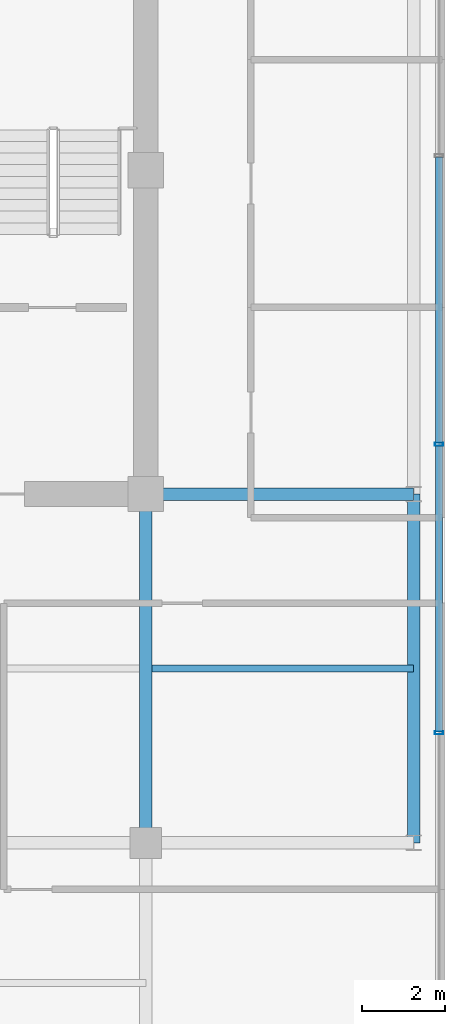
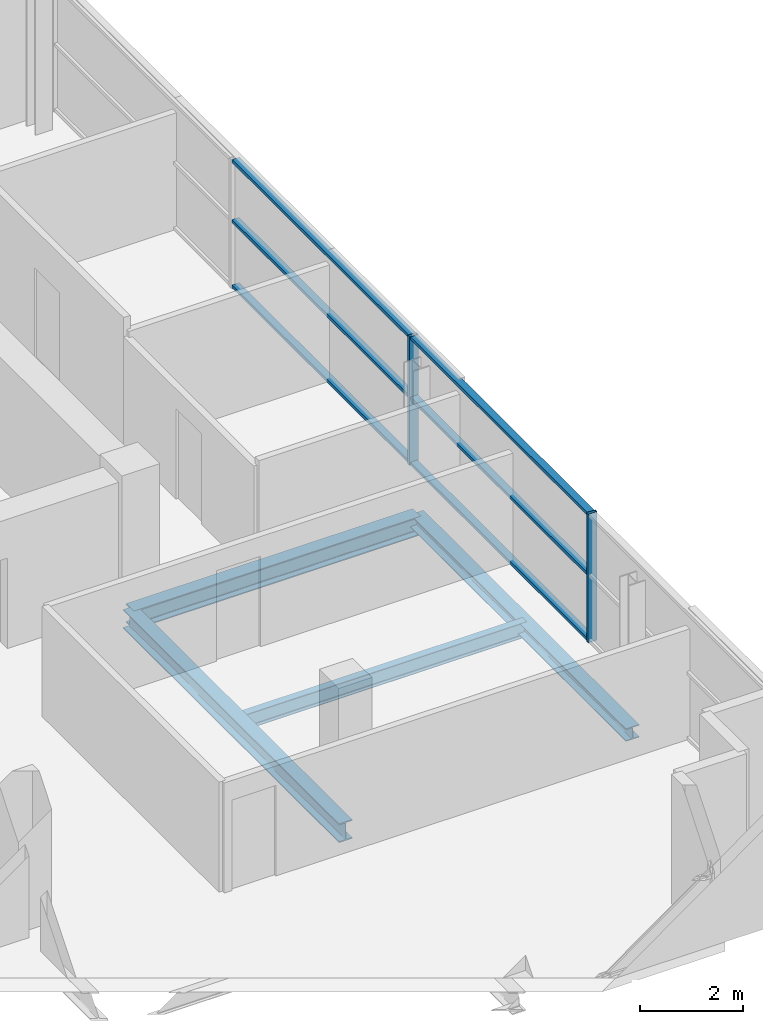
# One storey, part 13 of 28: 8 members, 4 beams, 1 element without a shape of its own.
"""IFC4 building model written with IfcOpenShell, lengths in metres."""

from ifc_helpers import new_model, si_unit, direction, frame, origin, origin_2d, place, context, subcontext, project, spatial, hollow_rectangle, i_section, extrude, source, transform, mapped, material, layer, layer_set, material_profile, profile_set, type_object, element, aggregate, save


model = new_model("IFC4")

# Units and contexts
model_context = context("Model", 3, precision=1e-05, world=origin(), true_north=direction((0.0, 1.0)))
body_context = subcontext(model_context, "Body", "Model", "MODEL_VIEW")
ifc_project = project(units=[si_unit("LENGTHUNIT", "METRE"), si_unit("AREAUNIT", "SQUARE_METRE"), si_unit("VOLUMEUNIT", "CUBIC_METRE"), si_unit("PLANEANGLEUNIT", "RADIAN"), si_unit("MASSUNIT", "GRAM", prefix="KILO")], contexts=[model_context])

# Site, building, storey
site_placement = place(None, origin())
site = spatial("IfcSite", under=ifc_project, at=site_placement, CompositionType="ELEMENT")
building_placement = place(site_placement, origin())
building = spatial("IfcBuilding", under=site, at=building_placement, Name="Zarnakvel Exchange Tower", CompositionType="ELEMENT")
storey_placement = place(building_placement, frame((0.0, 0.0, 261.699951171875)))
storey = spatial("IfcBuildingStorey", under=building, at=storey_placement, Name="L74", CompositionType="ELEMENT", Elevation=261.699951171875)

# Beams
ifc_material_1 = material(Name="Steel S355", Category="steel")
ifc_material_profile_1 = material_profile(ifc_material_1, i_section(OverallWidth=0.169921875, OverallDepth=0.360107421875, WebThickness=0.008056640625, FlangeThickness=0.0126953125, FilletRadius=0.01806640625, at=origin_2d()))
ifc_profile_set_1 = profile_set([ifc_material_profile_1], Name="Steel S355")
beam_type_1 = type_object("IfcBeamType", Name="B-07", PredefinedType="JOIST", material=ifc_profile_set_1)
beam_1_placement = place(storey_placement, frame((14.550048828125, -5.39990234375, -0.405029296875), z_axis=(1.0, 0.0, 0.0), x_axis=(0.0, 1.0, 0.0)))
element("IfcBeam", 1, at=beam_1_placement, inside=storey, type_object=beam_type_1, Name="L74 Composite Floor Secondary Joist", PredefinedType="JOIST", context=body_context, shape_type="SweptSolid", body=[
    extrude(i_section(OverallWidth=0.169921875, OverallDepth=0.360107421875, WebThickness=0.008056640625, FlangeThickness=0.0126953125, FilletRadius=0.01806640625, at=origin_2d()), origin(), (0.0, 0.0, 1.0), 6.300048828125),
])
ifc_material_profile_2 = material_profile(ifc_material_1, i_section(OverallWidth=0.300048828125, OverallDepth=0.449951171875, WebThickness=0.013916015625, FlangeThickness=0.02587890625, FilletRadius=0.027099609375, at=origin_2d()))
ifc_profile_set_2 = profile_set([ifc_material_profile_2], Name="Steel S355")
beam_type_2 = type_object("IfcBeamType", Name="G-07", PredefinedType="BEAM", material=ifc_profile_set_2)
beam_2_placement = place(storey_placement, frame((14.39990234375, -1.199951171875, -0.449951171875), z_axis=(1.0, 0.0, 0.0), x_axis=(0.0, 1.0, 0.0)))
element("IfcBeam", 2, at=beam_2_placement, inside=storey, type_object=beam_type_2, Name="L74 Tower E-W Frame Beam", PredefinedType="BEAM", context=body_context, shape_type="SweptSolid", body=[
    extrude(i_section(OverallWidth=0.300048828125, OverallDepth=0.449951171875, WebThickness=0.013916015625, FlangeThickness=0.02587890625, FilletRadius=0.027099609375, at=origin_2d()), origin(), (0.0, 0.0, 1.0), 6.4501953125),
])
beam_3_placement = place(storey_placement, frame((14.39990234375, -9.60009765625, -0.449951171875), z_axis=(0.0, 1.0, 0.0), x_axis=(-1.0, 0.0, 0.0)))
element("IfcBeam", 3, at=beam_3_placement, inside=storey, type_object=beam_type_2, Name="L74 Tower N-S Frame Beam", PredefinedType="BEAM", context=body_context, shape_type="SweptSolid", body=[
    extrude(i_section(OverallWidth=0.300048828125, OverallDepth=0.449951171875, WebThickness=0.013916015625, FlangeThickness=0.02587890625, FilletRadius=0.027099609375, at=origin_2d()), origin(), (0.0, 0.0, 1.0), 8.400146484375),
])
ifc_material_profile_3 = material_profile(ifc_material_1, i_section(OverallWidth=0.300048828125, OverallDepth=0.300048828125, WebThickness=0.010986328125, FlangeThickness=0.01904296875, FilletRadius=0.027099609375, at=origin_2d()))
ifc_profile_set_3 = profile_set([ifc_material_profile_3], Name="Steel S355")
beam_type_3 = type_object("IfcBeamType", Name="SP-03", PredefinedType="SPANDREL", material=ifc_profile_set_3)
beam_4_placement = place(storey_placement, frame((20.85009765625, -9.60009765625, -0.375), z_axis=(0.0, 1.0, 0.0), x_axis=(-1.0, 0.0, 0.0)))
element("IfcBeam", 4, at=beam_4_placement, inside=storey, type_object=beam_type_3, Name="L74 Tower N-S Frame Beam", PredefinedType="SPANDREL", context=body_context, shape_type="SweptSolid", body=[
    extrude(i_section(OverallWidth=0.300048828125, OverallDepth=0.300048828125, WebThickness=0.010986328125, FlangeThickness=0.01904296875, FilletRadius=0.027099609375, at=origin_2d()), origin(), (0.0, 0.0, 1.0), 8.400146484375),
])

# Curtain wall, members
ifc_material_2 = material(Name="Architectural Bronze Anodised Aluminium", Category="aluminium")
ifc_layer = layer(ifc_material_2, 0.199951171875)
ifc_layer_set = layer_set([ifc_layer], Name="Architectural Bronze Anodised Aluminium")
curtain_wall_type = type_object("IfcCurtainWallType", Name="CW-04", PredefinedType="NOTDEFINED", material=ifc_layer_set)
curtain_wall_placement = place(storey_placement, origin())
curtain_wall = element("IfcCurtainWall", 5, at=curtain_wall_placement, inside=storey, type_object=curtain_wall_type, Name="L74 Curtain Wall CW-L74-E1 (CW-04)", PredefinedType="NOTDEFINED")
ifc_material_profile_4 = material_profile(ifc_material_2, hollow_rectangle(XDim=0.199951171875, YDim=0.074951171875, WallThickness=0.0048828125, at=origin_2d()))
ifc_profile_set_4 = profile_set([ifc_material_profile_4], Name="Architectural Bronze Anodised Aluminium")
member_type_1 = type_object("IfcMemberType", Name="CWM-04", PredefinedType="MULLION", material=ifc_profile_set_4)
shared_shape_1 = source(origin(), body_context, "Body", "SweptSolid", [
    extrude(hollow_rectangle(XDim=0.199951171875, YDim=0.074951171875, WallThickness=0.0048828125, at=origin_2d()), origin(), (0.0, 0.0, 1.0), 3.054931640625),
])
member_1_placement = place(storey_placement, frame((21.4599609375, -6.949951171875, 0.0), z_axis=(0.0, 0.0, 1.0), x_axis=(-1.0, 0.0, 0.0)))
member_1 = element("IfcMember", 6, at=member_1_placement, type_object=member_type_1, Name="CW-04 mullion 2", PredefinedType="MULLION", context=body_context, shape_type="MappedRepresentation", body=[
    mapped(shared_shape_1, transform((0.0, 0.0, 0.0), x_axis=(1.0, 0.0, 0.0), y_axis=(0.0, 1.0, 0.0), z_axis=(0.0, 0.0, 1.0), scale=1.0)),
])
member_2_placement = place(storey_placement, frame((21.4599609375, 0.0, 0.0), z_axis=(0.0, 0.0, 1.0), x_axis=(-1.0, 0.0, 0.0)))
member_2 = element("IfcMember", 7, at=member_2_placement, type_object=member_type_1, Name="CW-04 mullion 3", PredefinedType="MULLION", context=body_context, shape_type="MappedRepresentation", body=[
    mapped(shared_shape_1, transform((0.0, 0.0, 0.0), x_axis=(1.0, 0.0, 0.0), y_axis=(0.0, 1.0, 0.0), z_axis=(0.0, 0.0, 1.0), scale=1.0)),
])
ifc_material_profile_5 = material_profile(ifc_material_2, hollow_rectangle(XDim=0.159912109375, YDim=0.074951171875, WallThickness=0.00390625, at=origin_2d()))
ifc_profile_set_5 = profile_set([ifc_material_profile_5], Name="Architectural Bronze Anodised Aluminium")
member_type_2 = type_object("IfcMemberType", Name="CWT-04", PredefinedType="USERDEFINED", material=ifc_profile_set_5)
shared_shape_2 = source(origin(), body_context, "Body", "SweptSolid", [
    extrude(hollow_rectangle(XDim=0.159912109375, YDim=0.074951171875, WallThickness=0.00390625, at=origin_2d()), origin(), (0.0, 0.0, 1.0), 6.875),
])
member_3_placement = place(storey_placement, frame((21.4599609375, -6.91259765625, 0.03759765625), z_axis=(0.0, 1.0, 0.0), x_axis=(-1.0, 0.0, 0.0)))
member_3 = element("IfcMember", 8, at=member_3_placement, type_object=member_type_2, Name="CW-04 transom 2.1", ObjectType="TRANSOM", PredefinedType="USERDEFINED", context=body_context, shape_type="MappedRepresentation", body=[
    mapped(shared_shape_2, transform((0.0, 0.0, 0.0), x_axis=(1.0, 0.0, 0.0), y_axis=(0.0, 1.0, 0.0), z_axis=(0.0, 0.0, 1.0), scale=1.0)),
])
member_4_placement = place(storey_placement, frame((21.4599609375, -6.91259765625, 1.588623046875), z_axis=(0.0, 1.0, 0.0), x_axis=(-1.0, 0.0, 0.0)))
member_4 = element("IfcMember", 9, at=member_4_placement, type_object=member_type_2, Name="CW-04 transom 2.2", ObjectType="TRANSOM", PredefinedType="USERDEFINED", context=body_context, shape_type="MappedRepresentation", body=[
    mapped(shared_shape_2, transform((0.0, 0.0, 0.0), x_axis=(1.0, 0.0, 0.0), y_axis=(0.0, 1.0, 0.0), z_axis=(0.0, 0.0, 1.0), scale=1.0)),
])
member_5_placement = place(storey_placement, frame((21.4599609375, -6.91259765625, 3.017578125), z_axis=(0.0, 1.0, 0.0), x_axis=(-1.0, 0.0, 0.0)))
member_5 = element("IfcMember", 10, at=member_5_placement, type_object=member_type_2, Name="CW-04 transom 2.3", ObjectType="TRANSOM", PredefinedType="USERDEFINED", context=body_context, shape_type="MappedRepresentation", body=[
    mapped(shared_shape_2, transform((0.0, 0.0, 0.0), x_axis=(1.0, 0.0, 0.0), y_axis=(0.0, 1.0, 0.0), z_axis=(0.0, 0.0, 1.0), scale=1.0)),
])
member_6_placement = place(storey_placement, frame((21.4599609375, 0.03759765625, 0.03759765625), z_axis=(0.0, 1.0, 0.0), x_axis=(-1.0, 0.0, 0.0)))
member_6 = element("IfcMember", 11, at=member_6_placement, type_object=member_type_2, Name="CW-04 transom 3.1", ObjectType="TRANSOM", PredefinedType="USERDEFINED", context=body_context, shape_type="MappedRepresentation", body=[
    mapped(shared_shape_2, transform((0.0, 0.0, 0.0), x_axis=(1.0, 0.0, 0.0), y_axis=(0.0, 1.0, 0.0), z_axis=(0.0, 0.0, 1.0), scale=1.0)),
])
member_7_placement = place(storey_placement, frame((21.4599609375, 0.03759765625, 1.588623046875), z_axis=(0.0, 1.0, 0.0), x_axis=(-1.0, 0.0, 0.0)))
member_7 = element("IfcMember", 12, at=member_7_placement, type_object=member_type_2, Name="CW-04 transom 3.2", ObjectType="TRANSOM", PredefinedType="USERDEFINED", context=body_context, shape_type="MappedRepresentation", body=[
    mapped(shared_shape_2, transform((0.0, 0.0, 0.0), x_axis=(1.0, 0.0, 0.0), y_axis=(0.0, 1.0, 0.0), z_axis=(0.0, 0.0, 1.0), scale=1.0)),
])
member_8_placement = place(storey_placement, frame((21.4599609375, 0.03759765625, 3.017578125), z_axis=(0.0, 1.0, 0.0), x_axis=(-1.0, 0.0, 0.0)))
member_8 = element("IfcMember", 13, at=member_8_placement, type_object=member_type_2, Name="CW-04 transom 3.3", ObjectType="TRANSOM", PredefinedType="USERDEFINED", context=body_context, shape_type="MappedRepresentation", body=[
    mapped(shared_shape_2, transform((0.0, 0.0, 0.0), x_axis=(1.0, 0.0, 0.0), y_axis=(0.0, 1.0, 0.0), z_axis=(0.0, 0.0, 1.0), scale=1.0)),
])
aggregate(curtain_wall, [member_1, member_2, member_3, member_4, member_5, member_6, member_7, member_8])

save(model, "model.ifc")
